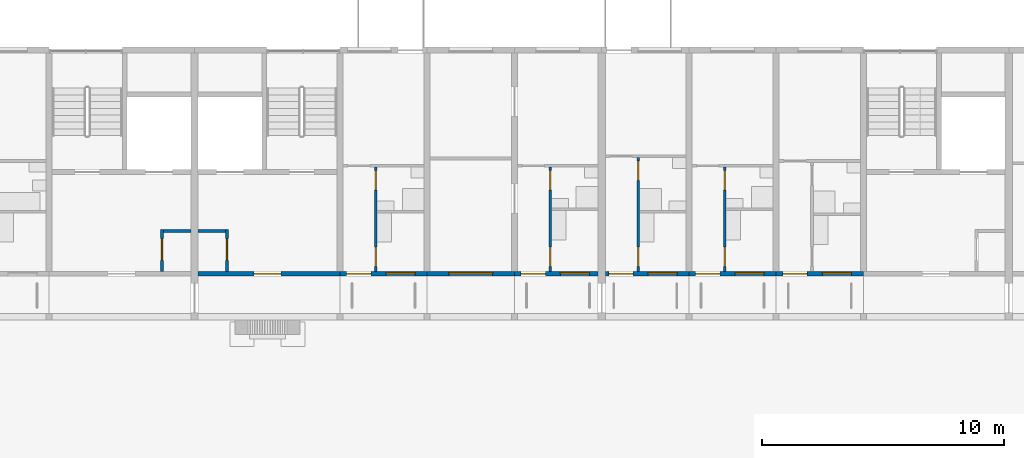
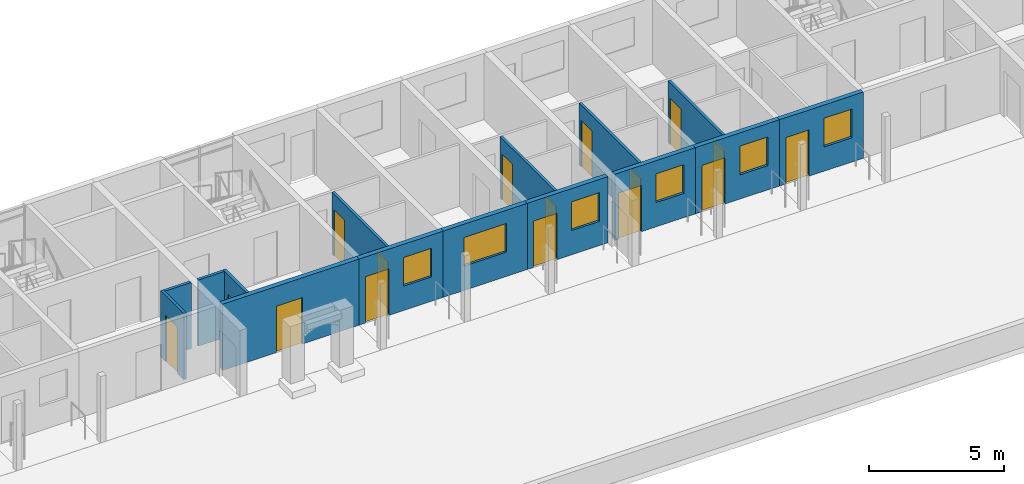
# One storey, part 58 of 115: 16 doors, 15 walls, 6 windows, 22 openings.
"""IFC4 building model written with IfcOpenShell, lengths in metres."""

from ifc_helpers import new_model, si_unit, direction, frame, frame_2d, origin, place, context, subcontext, project, spatial, rectangle, extrude, material, layer, layer_set, type_object, element, fill, save


model = new_model("IFC4")

# Units and contexts
model_context = context("Model", 3, precision=1e-05, world=origin(), true_north=direction((0.0, 1.0)))
body_context = subcontext(model_context, "Body", "Model", "MODEL_VIEW")
ifc_project = project(units=[si_unit("LENGTHUNIT", "METRE"), si_unit("AREAUNIT", "SQUARE_METRE"), si_unit("VOLUMEUNIT", "CUBIC_METRE"), si_unit("PLANEANGLEUNIT", "RADIAN"), si_unit("MASSUNIT", "GRAM", prefix="KILO")], contexts=[model_context])

# Site, building, storey
site_placement = place(None, origin())
site = spatial("IfcSite", under=ifc_project, at=site_placement, CompositionType="ELEMENT")
building_placement = place(site_placement, origin())
building = spatial("IfcBuilding", under=site, at=building_placement, Name="Ridgestep Commons", CompositionType="ELEMENT")
storey_placement = place(building_placement, frame((0.0, 0.0, 6.0)))
storey = spatial("IfcBuildingStorey", under=building, at=storey_placement, Name="L02", CompositionType="ELEMENT", Elevation=6.0)

# Wall, opening, door
ifc_material_1 = material(Name="Concrete C30/37", Category="concrete")
ifc_layer_1 = layer(ifc_material_1, 0.199951171875)
ifc_layer_set_1 = layer_set([ifc_layer_1], Name="Core south wall 200")
wall_type_1 = type_object("IfcWallType", Name="Core south wall 200", PredefinedType="SHEAR", material=ifc_layer_set_1)
wall_1_placement = place(storey_placement, frame((163.75, 13.64990234375, 0.0), z_axis=(0.0, 0.0, 1.0), x_axis=(1.0, 0.0, 0.0)))
wall_1 = element("IfcWall", 1, at=wall_1_placement, inside=storey, type_object=wall_type_1, Name="Core south wall D2C L02", PredefinedType="SHEAR", context=body_context, shape_type="SweptSolid", body=[
    extrude(rectangle(XDim=5.85009765625, YDim=0.199951171875, at=frame_2d((2.925048828125, 0.0))), origin(), (0.0, 0.0, 1.0), 3.0),
])
opening_1_placement = place(wall_1_placement, frame((2.3125, 0.0, 0.0)))
opening_1 = element("IfcOpeningElement", 2, at=opening_1_placement, cuts=wall_1, Name="Opening D2C/02/1", PredefinedType="OPENING", context=body_context, shape_type="SweptSolid", body=[
    extrude(rectangle(XDim=1.10009765625, YDim=2.10009765625, at=frame_2d((0.550048828125, 1.050048828125))), frame((0.0, 0.10986328125, 0.0), z_axis=(0.0, -1.0, 0.0), x_axis=(1.0, 0.0, 0.0)), (0.0, 0.0, 1.0), 0.219970703125),
])
ifc_material_2 = material(Name="Steel fire door", Category="steel")
door_type_1 = type_object("IfcDoorType", Name="Lobby door 1100 x 2100 FD60", OperationType="NOTDEFINED", PredefinedType="DOOR", material=ifc_material_2)
door_1_placement = place(opening_1_placement, origin())
door_1 = element("IfcDoor", 3, at=door_1_placement, inside=storey, type_object=door_type_1, Name="Lobby door D2C/02/1", OperationType="SINGLE_SWING_LEFT", OverallHeight=2.10009765625, OverallWidth=1.10009765625, PredefinedType="DOOR", context=body_context, shape_type="SweptSolid", body=[
    extrude(rectangle(XDim=1.10009765625, YDim=2.10009765625, at=frame_2d((0.550048828125, 1.050048828125))), frame((0.0, 0.02490234375, 0.0), z_axis=(0.0, -1.0, 0.0), x_axis=(1.0, 0.0, 0.0)), (0.0, 0.0, 1.0), 0.050048828125),
])
fill(opening_1, door_1)

ifc_material_3 = material(Name="Concrete C30/37", Category="concrete")
ifc_layer_2 = layer(ifc_material_3, 0.1201171875)
ifc_layer_set_2 = layer_set([ifc_layer_2], Name="Core wall 120")
wall_type_2 = type_object("IfcWallType", Name="Core wall 120", PredefinedType="SHEAR", material=ifc_layer_set_2)
wall_2_placement = place(storey_placement, frame((162.260009765625, 13.75, 0.0), z_axis=(0.0, 0.0, 1.0), x_axis=(0.0, 1.0, 0.0)))
wall_2 = element("IfcWall", 4, at=wall_2_placement, inside=storey, type_object=wall_type_2, Name="Core riser w wall D1C L02", PredefinedType="SHEAR", context=body_context, shape_type="SweptSolid", body=[
    extrude(rectangle(XDim=1.719970703125, YDim=0.1201171875, at=frame_2d((0.85986328125, 0.0))), origin(), (0.0, 0.0, 1.0), 3.0),
])
opening_2_placement = place(wall_2_placement, frame((0.449951171875, 0.0, 0.0)))
opening_2 = element("IfcOpeningElement", 5, at=opening_2_placement, cuts=wall_2, Name="Opening D1C/02/4", PredefinedType="OPENING", context=body_context, shape_type="SweptSolid", body=[
    extrude(rectangle(XDim=0.89990234375, YDim=2.10009765625, at=frame_2d((0.449951171875, 1.050048828125))), frame((0.0, 0.070068359375, 0.0), z_axis=(0.0, -1.0, 0.0), x_axis=(1.0, 0.0, 0.0)), (0.0, 0.0, 1.0), 0.14013671875),
])
ifc_material_4 = material(Name="Steel fire door", Category="steel")
door_type_2 = type_object("IfcDoorType", Name="Riser door 900 x 2100 FD60", OperationType="NOTDEFINED", PredefinedType="DOOR", material=ifc_material_4)
door_2_placement = place(opening_2_placement, origin())
door_2 = element("IfcDoor", 6, at=door_2_placement, inside=storey, type_object=door_type_2, Name="Riser door D1C/02/4", OperationType="SINGLE_SWING_LEFT", OverallHeight=2.10009765625, OverallWidth=0.89990234375, PredefinedType="DOOR", context=body_context, shape_type="SweptSolid", body=[
    extrude(rectangle(XDim=0.89990234375, YDim=2.10009765625, at=frame_2d((0.449951171875, 1.050048828125))), frame((0.0, 0.02490234375, 0.0), z_axis=(0.0, -1.0, 0.0), x_axis=(1.0, 0.0, 0.0)), (0.0, 0.0, 1.0), 0.050048828125),
])
fill(opening_2, door_2)

# Wall
wall_3_placement = place(storey_placement, frame((162.320068359375, 15.409912109375, 0.0), z_axis=(0.0, 0.0, 1.0), x_axis=(1.0, 0.0, 0.0)))
element("IfcWall", 7, at=wall_3_placement, inside=storey, type_object=wall_type_2, Name="Core riser n wall D1C L02", PredefinedType="SHEAR", context=body_context, shape_type="SweptSolid", body=[
    extrude(rectangle(XDim=1.1298828125, YDim=0.1201171875, at=frame_2d((0.56494140625, 0.0))), origin(), (0.0, 0.0, 1.0), 3.0),
])

# Wall, opening, door
wall_4_placement = place(storey_placement, frame((164.93994140625, 13.75, 0.0), z_axis=(0.0, 0.0, 1.0), x_axis=(0.0, 1.0, 0.0)))
wall_4 = element("IfcWall", 8, at=wall_4_placement, inside=storey, type_object=wall_type_2, Name="Core riser w wall D2C L02", PredefinedType="SHEAR", context=body_context, shape_type="SweptSolid", body=[
    extrude(rectangle(XDim=1.719970703125, YDim=0.1201171875, at=frame_2d((0.85986328125, 0.0))), origin(), (0.0, 0.0, 1.0), 3.0),
])
opening_3_placement = place(wall_4_placement, frame((0.449951171875, 0.0, 0.0)))
opening_3 = element("IfcOpeningElement", 9, at=opening_3_placement, cuts=wall_4, Name="Opening D2C/02/4", PredefinedType="OPENING", context=body_context, shape_type="SweptSolid", body=[
    extrude(rectangle(XDim=0.89990234375, YDim=2.10009765625, at=frame_2d((0.449951171875, 1.050048828125))), frame((0.0, 0.070068359375, 0.0), z_axis=(0.0, -1.0, 0.0), x_axis=(1.0, 0.0, 0.0)), (0.0, 0.0, 1.0), 0.14013671875),
])
door_3_placement = place(opening_3_placement, origin())
door_3 = element("IfcDoor", 10, at=door_3_placement, inside=storey, type_object=door_type_2, Name="Riser door D2C/02/4", OperationType="SINGLE_SWING_RIGHT", OverallHeight=2.10009765625, OverallWidth=0.89990234375, PredefinedType="DOOR", context=body_context, shape_type="SweptSolid", body=[
    extrude(rectangle(XDim=0.89990234375, YDim=2.10009765625, at=frame_2d((0.449951171875, 1.050048828125))), frame((0.0, 0.02490234375, 0.0), z_axis=(0.0, -1.0, 0.0), x_axis=(1.0, 0.0, 0.0)), (0.0, 0.0, 1.0), 0.050048828125),
])
fill(opening_3, door_3)

# Wall
wall_5_placement = place(storey_placement, frame((163.75, 15.409912109375, 0.0), z_axis=(0.0, 0.0, 1.0), x_axis=(1.0, 0.0, 0.0)))
element("IfcWall", 11, at=wall_5_placement, inside=storey, type_object=wall_type_2, Name="Core riser n wall D2C L02", PredefinedType="SHEAR", context=body_context, shape_type="SweptSolid", body=[
    extrude(rectangle(XDim=1.1298828125, YDim=0.1201171875, at=frame_2d((0.56494140625, 0.0))), origin(), (0.0, 0.0, 1.0), 3.0),
])

# Wall, openings, doors
ifc_material_5 = material(Name="Common brick 110 mm", Category="masonry")
ifc_layer_3 = layer(ifc_material_5, 0.110107421875)
ifc_layer_set_3 = layer_set([ifc_layer_3], Name="Partition 110")
wall_type_3 = type_object("IfcWallType", Name="Partition 110", PredefinedType="PARTITIONING", material=ifc_layer_set_3)
wall_6_placement = place(storey_placement, frame((178.280029296875, 13.75, 0.0), z_axis=(0.0, 0.0, 1.0), x_axis=(0.0, 1.0, 0.0)))
wall_6 = element("IfcWall", 12, at=wall_6_placement, inside=storey, type_object=wall_type_3, Name="Partition D2-02a", PredefinedType="PARTITIONING", context=body_context, shape_type="SweptSolid", body=[
    extrude(rectangle(XDim=4.300048828125, YDim=0.110107421875, at=frame_2d((2.14990234375, 0.0))), origin(), (0.0, 0.0, 1.0), 2.800048828125),
])
opening_4_placement = place(wall_6_placement, frame((0.199951171875, 0.0, 0.0)))
opening_4 = element("IfcOpeningElement", 13, at=opening_4_placement, cuts=wall_6, Name="Opening D2-02a/2", PredefinedType="OPENING", context=body_context, shape_type="SweptSolid", body=[
    extrude(rectangle(XDim=0.800048828125, YDim=2.10009765625, at=frame_2d((0.39990234375, 1.050048828125))), frame((0.0, 0.06494140625, 0.0), z_axis=(0.0, -1.0, 0.0), x_axis=(1.0, 0.0, 0.0)), (0.0, 0.0, 1.0), 0.130126953125),
])
opening_5_placement = place(wall_6_placement, frame((3.35009765625, 0.0, 0.0)))
opening_5 = element("IfcOpeningElement", 14, at=opening_5_placement, cuts=wall_6, Name="Opening D2-02a/3", PredefinedType="OPENING", context=body_context, shape_type="SweptSolid", body=[
    extrude(rectangle(XDim=0.800048828125, YDim=2.10009765625, at=frame_2d((0.39990234375, 1.050048828125))), frame((0.0, 0.06494140625, 0.0), z_axis=(0.0, -1.0, 0.0), x_axis=(1.0, 0.0, 0.0)), (0.0, 0.0, 1.0), 0.130126953125),
])
ifc_material_6 = material(Name="Timber door leaf", Category="wood")
door_type_3 = type_object("IfcDoorType", Name="Internal door 800 x 2100", OperationType="NOTDEFINED", PredefinedType="DOOR", material=ifc_material_6)
door_4_placement = place(opening_4_placement, origin())
door_4 = element("IfcDoor", 15, at=door_4_placement, inside=storey, type_object=door_type_3, Name="Internal door D2-02a/2", OperationType="SINGLE_SWING_RIGHT", OverallHeight=2.10009765625, OverallWidth=0.800048828125, PredefinedType="DOOR", context=body_context, shape_type="SweptSolid", body=[
    extrude(rectangle(XDim=0.800048828125, YDim=2.10009765625, at=frame_2d((0.39990234375, 1.050048828125))), frame((0.0, 0.02490234375, 0.0), z_axis=(0.0, -1.0, 0.0), x_axis=(1.0, 0.0, 0.0)), (0.0, 0.0, 1.0), 0.050048828125),
])
fill(opening_4, door_4)
door_5_placement = place(opening_5_placement, origin())
door_5 = element("IfcDoor", 16, at=door_5_placement, inside=storey, type_object=door_type_3, Name="Internal door D2-02a/3", OperationType="SINGLE_SWING_LEFT", OverallHeight=2.10009765625, OverallWidth=0.800048828125, PredefinedType="DOOR", context=body_context, shape_type="SweptSolid", body=[
    extrude(rectangle(XDim=0.800048828125, YDim=2.10009765625, at=frame_2d((0.39990234375, 1.050048828125))), frame((0.0, 0.02490234375, 0.0), z_axis=(0.0, -1.0, 0.0), x_axis=(1.0, 0.0, 0.0)), (0.0, 0.0, 1.0), 0.050048828125),
])
fill(opening_5, door_5)

wall_7_placement = place(storey_placement, frame((171.080078125, 13.75, 0.0), z_axis=(0.0, 0.0, 1.0), x_axis=(0.0, 1.0, 0.0)))
wall_7 = element("IfcWall", 17, at=wall_7_placement, inside=storey, type_object=wall_type_3, Name="Partition D2-02b", PredefinedType="PARTITIONING", context=body_context, shape_type="SweptSolid", body=[
    extrude(rectangle(XDim=4.300048828125, YDim=0.110107421875, at=frame_2d((2.14990234375, 0.0))), origin(), (0.0, 0.0, 1.0), 2.800048828125),
])
opening_6_placement = place(wall_7_placement, frame((0.199951171875, 0.0, 0.0)))
opening_6 = element("IfcOpeningElement", 18, at=opening_6_placement, cuts=wall_7, Name="Opening D2-02b/2", PredefinedType="OPENING", context=body_context, shape_type="SweptSolid", body=[
    extrude(rectangle(XDim=0.800048828125, YDim=2.10009765625, at=frame_2d((0.39990234375, 1.050048828125))), frame((0.0, 0.06494140625, 0.0), z_axis=(0.0, -1.0, 0.0), x_axis=(1.0, 0.0, 0.0)), (0.0, 0.0, 1.0), 0.130126953125),
])
opening_7_placement = place(wall_7_placement, frame((3.35009765625, 0.0, 0.0)))
opening_7 = element("IfcOpeningElement", 19, at=opening_7_placement, cuts=wall_7, Name="Opening D2-02b/3", PredefinedType="OPENING", context=body_context, shape_type="SweptSolid", body=[
    extrude(rectangle(XDim=0.800048828125, YDim=2.10009765625, at=frame_2d((0.39990234375, 1.050048828125))), frame((0.0, 0.06494140625, 0.0), z_axis=(0.0, -1.0, 0.0), x_axis=(1.0, 0.0, 0.0)), (0.0, 0.0, 1.0), 0.130126953125),
])
door_6_placement = place(opening_6_placement, origin())
door_6 = element("IfcDoor", 20, at=door_6_placement, inside=storey, type_object=door_type_3, Name="Internal door D2-02b/2", OperationType="SINGLE_SWING_RIGHT", OverallHeight=2.10009765625, OverallWidth=0.800048828125, PredefinedType="DOOR", context=body_context, shape_type="SweptSolid", body=[
    extrude(rectangle(XDim=0.800048828125, YDim=2.10009765625, at=frame_2d((0.39990234375, 1.050048828125))), frame((0.0, 0.02490234375, 0.0), z_axis=(0.0, -1.0, 0.0), x_axis=(1.0, 0.0, 0.0)), (0.0, 0.0, 1.0), 0.050048828125),
])
fill(opening_6, door_6)
door_7_placement = place(opening_7_placement, origin())
door_7 = element("IfcDoor", 21, at=door_7_placement, inside=storey, type_object=door_type_3, Name="Internal door D2-02b/3", OperationType="SINGLE_SWING_LEFT", OverallHeight=2.10009765625, OverallWidth=0.800048828125, PredefinedType="DOOR", context=body_context, shape_type="SweptSolid", body=[
    extrude(rectangle(XDim=0.800048828125, YDim=2.10009765625, at=frame_2d((0.39990234375, 1.050048828125))), frame((0.0, 0.02490234375, 0.0), z_axis=(0.0, -1.0, 0.0), x_axis=(1.0, 0.0, 0.0)), (0.0, 0.0, 1.0), 0.050048828125),
])
fill(opening_7, door_7)

wall_8_placement = place(storey_placement, frame((181.905029296875, 13.75, 0.0), z_axis=(0.0, 0.0, 1.0), x_axis=(0.0, 1.0, 0.0)))
wall_8 = element("IfcWall", 22, at=wall_8_placement, inside=storey, type_object=wall_type_3, Name="Partition D3-02a", PredefinedType="PARTITIONING", context=body_context, shape_type="SweptSolid", body=[
    extrude(rectangle(XDim=4.699951171875, YDim=0.110107421875, at=frame_2d((2.35009765625, 0.0))), origin(), (0.0, 0.0, 1.0), 2.800048828125),
])
opening_8_placement = place(wall_8_placement, frame((0.199951171875, 0.0, 0.0)))
opening_8 = element("IfcOpeningElement", 23, at=opening_8_placement, cuts=wall_8, Name="Opening D3-02a/2", PredefinedType="OPENING", context=body_context, shape_type="SweptSolid", body=[
    extrude(rectangle(XDim=0.800048828125, YDim=2.10009765625, at=frame_2d((0.39990234375, 1.050048828125))), frame((0.0, 0.06494140625, 0.0), z_axis=(0.0, -1.0, 0.0), x_axis=(1.0, 0.0, 0.0)), (0.0, 0.0, 1.0), 0.130126953125),
])
opening_9_placement = place(wall_8_placement, frame((3.75, 0.0, 0.0)))
opening_9 = element("IfcOpeningElement", 24, at=opening_9_placement, cuts=wall_8, Name="Opening D3-02a/3", PredefinedType="OPENING", context=body_context, shape_type="SweptSolid", body=[
    extrude(rectangle(XDim=0.800048828125, YDim=2.10009765625, at=frame_2d((0.39990234375, 1.050048828125))), frame((0.0, 0.06494140625, 0.0), z_axis=(0.0, -1.0, 0.0), x_axis=(1.0, 0.0, 0.0)), (0.0, 0.0, 1.0), 0.130126953125),
])
door_8_placement = place(opening_8_placement, origin())
door_8 = element("IfcDoor", 25, at=door_8_placement, inside=storey, type_object=door_type_3, Name="Internal door D3-02a/2", OperationType="SINGLE_SWING_RIGHT", OverallHeight=2.10009765625, OverallWidth=0.800048828125, PredefinedType="DOOR", context=body_context, shape_type="SweptSolid", body=[
    extrude(rectangle(XDim=0.800048828125, YDim=2.10009765625, at=frame_2d((0.39990234375, 1.050048828125))), frame((0.0, 0.02490234375, 0.0), z_axis=(0.0, -1.0, 0.0), x_axis=(1.0, 0.0, 0.0)), (0.0, 0.0, 1.0), 0.050048828125),
])
fill(opening_8, door_8)
door_9_placement = place(opening_9_placement, origin())
door_9 = element("IfcDoor", 26, at=door_9_placement, inside=storey, type_object=door_type_3, Name="Internal door D3-02a/3", OperationType="SINGLE_SWING_LEFT", OverallHeight=2.10009765625, OverallWidth=0.800048828125, PredefinedType="DOOR", context=body_context, shape_type="SweptSolid", body=[
    extrude(rectangle(XDim=0.800048828125, YDim=2.10009765625, at=frame_2d((0.39990234375, 1.050048828125))), frame((0.0, 0.02490234375, 0.0), z_axis=(0.0, -1.0, 0.0), x_axis=(1.0, 0.0, 0.0)), (0.0, 0.0, 1.0), 0.050048828125),
])
fill(opening_9, door_9)

wall_9_placement = place(storey_placement, frame((185.47998046875, 13.75, 0.0), z_axis=(0.0, 0.0, 1.0), x_axis=(0.0, 1.0, 0.0)))
wall_9 = element("IfcWall", 27, at=wall_9_placement, inside=storey, type_object=wall_type_3, Name="Partition D3-02b", PredefinedType="PARTITIONING", context=body_context, shape_type="SweptSolid", body=[
    extrude(rectangle(XDim=4.300048828125, YDim=0.110107421875, at=frame_2d((2.14990234375, 0.0))), origin(), (0.0, 0.0, 1.0), 2.800048828125),
])
opening_10_placement = place(wall_9_placement, frame((0.199951171875, 0.0, 0.0)))
opening_10 = element("IfcOpeningElement", 28, at=opening_10_placement, cuts=wall_9, Name="Opening D3-02b/2", PredefinedType="OPENING", context=body_context, shape_type="SweptSolid", body=[
    extrude(rectangle(XDim=0.800048828125, YDim=2.10009765625, at=frame_2d((0.39990234375, 1.050048828125))), frame((0.0, 0.06494140625, 0.0), z_axis=(0.0, -1.0, 0.0), x_axis=(1.0, 0.0, 0.0)), (0.0, 0.0, 1.0), 0.130126953125),
])
opening_11_placement = place(wall_9_placement, frame((3.35009765625, 0.0, 0.0)))
opening_11 = element("IfcOpeningElement", 29, at=opening_11_placement, cuts=wall_9, Name="Opening D3-02b/3", PredefinedType="OPENING", context=body_context, shape_type="SweptSolid", body=[
    extrude(rectangle(XDim=0.800048828125, YDim=2.10009765625, at=frame_2d((0.39990234375, 1.050048828125))), frame((0.0, 0.06494140625, 0.0), z_axis=(0.0, -1.0, 0.0), x_axis=(1.0, 0.0, 0.0)), (0.0, 0.0, 1.0), 0.130126953125),
])
door_10_placement = place(opening_10_placement, origin())
door_10 = element("IfcDoor", 30, at=door_10_placement, inside=storey, type_object=door_type_3, Name="Internal door D3-02b/2", OperationType="SINGLE_SWING_RIGHT", OverallHeight=2.10009765625, OverallWidth=0.800048828125, PredefinedType="DOOR", context=body_context, shape_type="SweptSolid", body=[
    extrude(rectangle(XDim=0.800048828125, YDim=2.10009765625, at=frame_2d((0.39990234375, 1.050048828125))), frame((0.0, 0.02490234375, 0.0), z_axis=(0.0, -1.0, 0.0), x_axis=(1.0, 0.0, 0.0)), (0.0, 0.0, 1.0), 0.050048828125),
])
fill(opening_10, door_10)
door_11_placement = place(opening_11_placement, origin())
door_11 = element("IfcDoor", 31, at=door_11_placement, inside=storey, type_object=door_type_3, Name="Internal door D3-02b/3", OperationType="SINGLE_SWING_LEFT", OverallHeight=2.10009765625, OverallWidth=0.800048828125, PredefinedType="DOOR", context=body_context, shape_type="SweptSolid", body=[
    extrude(rectangle(XDim=0.800048828125, YDim=2.10009765625, at=frame_2d((0.39990234375, 1.050048828125))), frame((0.0, 0.02490234375, 0.0), z_axis=(0.0, -1.0, 0.0), x_axis=(1.0, 0.0, 0.0)), (0.0, 0.0, 1.0), 0.050048828125),
])
fill(opening_11, door_11)

# Wall, openings, door, window
ifc_material_7 = material(Name="Precast concrete C40/50", Category="concrete")
ifc_layer_4 = layer(ifc_material_7, 0.199951171875)
ifc_layer_set_4 = layer_set([ifc_layer_4], Name="South facade panel 200")
wall_type_4 = type_object("IfcWallType", Name="South facade panel 200", PredefinedType="SOLIDWALL", material=ifc_layer_set_4)
wall_10_placement = place(storey_placement, frame((169.60009765625, 13.64990234375, 0.0), z_axis=(0.0, 0.0, 1.0), x_axis=(1.0, 0.0, 0.0)))
wall_10 = element("IfcWall", 32, at=wall_10_placement, inside=storey, type_object=wall_type_4, Name="South panel D2T3 L02", PredefinedType="SOLIDWALL", context=body_context, shape_type="SweptSolid", body=[
    extrude(rectangle(XDim=3.599853515625, YDim=0.199951171875, at=frame_2d((1.7998046875, 0.0))), origin(), (0.0, 0.0, 1.0), 3.0),
])
opening_12_placement = place(wall_10_placement, frame((1.905029296875, 0.0, 1.10009765625)))
opening_12 = element("IfcOpeningElement", 33, at=opening_12_placement, cuts=wall_10, Name="Opening W08", PredefinedType="OPENING", context=body_context, shape_type="SweptSolid", body=[
    extrude(rectangle(XDim=1.199951171875, YDim=1.300048828125, at=frame_2d((0.60009765625, 0.64990234375))), frame((0.0, 0.10986328125, 0.0), z_axis=(0.0, -1.0, 0.0), x_axis=(1.0, 0.0, 0.0)), (0.0, 0.0, 1.0), 0.219970703125),
])
opening_13_placement = place(wall_10_placement, frame((0.27490234375, 0.0, 0.0)))
opening_13 = element("IfcOpeningElement", 34, at=opening_13_placement, cuts=wall_10, Name="Opening D2-02b/1", PredefinedType="OPENING", context=body_context, shape_type="SweptSolid", body=[
    extrude(rectangle(XDim=1.0, YDim=2.10009765625, at=frame_2d((0.5, 1.050048828125))), frame((0.0, 0.10986328125, 0.0), z_axis=(0.0, -1.0, 0.0), x_axis=(1.0, 0.0, 0.0)), (0.0, 0.0, 1.0), 0.219970703125),
])
ifc_material_8 = material(Name="Timber door leaf", Category="wood")
door_type_4 = type_object("IfcDoorType", Name="Flat entrance door 1000 x 2100 FD30S", OperationType="NOTDEFINED", PredefinedType="DOOR", material=ifc_material_8)
door_12_placement = place(opening_13_placement, origin())
door_12 = element("IfcDoor", 35, at=door_12_placement, inside=storey, type_object=door_type_4, Name="Flat entrance door D2-02b/1", OperationType="SINGLE_SWING_LEFT", OverallHeight=2.10009765625, OverallWidth=1.0, PredefinedType="DOOR", context=body_context, shape_type="SweptSolid", body=[
    extrude(rectangle(XDim=1.0, YDim=2.10009765625, at=frame_2d((0.5, 1.050048828125))), frame((0.0, 0.02490234375, 0.0), z_axis=(0.0, -1.0, 0.0), x_axis=(1.0, 0.0, 0.0)), (0.0, 0.0, 1.0), 0.050048828125),
])
fill(opening_13, door_12)
ifc_material_9 = material(Name="Aluminium 6063-T6 and glass", Category="aluminium")
window_type_1 = type_object("IfcWindowType", Name="Flat window 1200 x 1300", PartitioningType="SINGLE_PANEL", PredefinedType="WINDOW", material=ifc_material_9)
window_1_placement = place(opening_12_placement, origin())
window_1 = element("IfcWindow", 36, at=window_1_placement, inside=storey, type_object=window_type_1, Name="Window D2-02b 1", OverallHeight=1.300048828125, OverallWidth=1.199951171875, PartitioningType="SINGLE_PANEL", PredefinedType="WINDOW", context=body_context, shape_type="SweptSolid", body=[
    extrude(rectangle(XDim=1.199951171875, YDim=1.300048828125, at=frame_2d((0.60009765625, 0.64990234375))), frame((0.0, 0.06005859375, 0.0), z_axis=(0.0, -1.0, 0.0), x_axis=(1.0, 0.0, 0.0)), (0.0, 0.0, 1.0), 0.06005859375),
])
fill(opening_12, window_1)

# Wall, opening, window
wall_11_placement = place(storey_placement, frame((173.199951171875, 13.64990234375, 0.0), z_axis=(0.0, 0.0, 1.0), x_axis=(1.0, 0.0, 0.0)))
wall_11 = element("IfcWall", 37, at=wall_11_placement, inside=storey, type_object=wall_type_4, Name="South panel D2T2 L02", PredefinedType="SOLIDWALL", context=body_context, shape_type="SweptSolid", body=[
    extrude(rectangle(XDim=3.60009765625, YDim=0.199951171875, at=frame_2d((1.800048828125, 0.0))), origin(), (0.0, 0.0, 1.0), 3.0),
])
opening_14_placement = place(wall_11_placement, frame((0.89990234375, 0.0, 1.10009765625)))
opening_14 = element("IfcOpeningElement", 38, at=opening_14_placement, cuts=wall_11, Name="Opening W18", PredefinedType="OPENING", context=body_context, shape_type="SweptSolid", body=[
    extrude(rectangle(XDim=1.800048828125, YDim=1.300048828125, at=frame_2d((0.89990234375, 0.64990234375))), frame((0.0, 0.10986328125, 0.0), z_axis=(0.0, -1.0, 0.0), x_axis=(1.0, 0.0, 0.0)), (0.0, 0.0, 1.0), 0.219970703125),
])
ifc_material_10 = material(Name="Aluminium 6063-T6 and glass", Category="aluminium")
window_type_2 = type_object("IfcWindowType", Name="Flat window 1800 x 1300", PartitioningType="DOUBLE_PANEL_VERTICAL", PredefinedType="WINDOW", material=ifc_material_10)
window_2_placement = place(opening_14_placement, origin())
window_2 = element("IfcWindow", 39, at=window_2_placement, inside=storey, type_object=window_type_2, Name="Window D2-02a 1", OverallHeight=1.300048828125, OverallWidth=1.800048828125, PartitioningType="SINGLE_PANEL", PredefinedType="WINDOW", context=body_context, shape_type="SweptSolid", body=[
    extrude(rectangle(XDim=1.800048828125, YDim=1.300048828125, at=frame_2d((0.89990234375, 0.64990234375))), frame((0.0, 0.06005859375, 0.0), z_axis=(0.0, -1.0, 0.0), x_axis=(1.0, 0.0, 0.0)), (0.0, 0.0, 1.0), 0.06005859375),
])
fill(opening_14, window_2)

# Wall, openings, door, window
wall_12_placement = place(storey_placement, frame((176.800048828125, 13.64990234375, 0.0), z_axis=(0.0, 0.0, 1.0), x_axis=(1.0, 0.0, 0.0)))
wall_12 = element("IfcWall", 40, at=wall_12_placement, inside=storey, type_object=wall_type_4, Name="South panel D2T1 L02", PredefinedType="SOLIDWALL", context=body_context, shape_type="SweptSolid", body=[
    extrude(rectangle(XDim=3.449951171875, YDim=0.199951171875, at=frame_2d((1.72509765625, 0.0))), origin(), (0.0, 0.0, 1.0), 3.0),
])
opening_15_placement = place(wall_12_placement, frame((1.892578125, 0.0, 1.10009765625)))
opening_15 = element("IfcOpeningElement", 41, at=opening_15_placement, cuts=wall_12, Name="Opening W08", PredefinedType="OPENING", context=body_context, shape_type="SweptSolid", body=[
    extrude(rectangle(XDim=1.199951171875, YDim=1.300048828125, at=frame_2d((0.60009765625, 0.64990234375))), frame((0.0, 0.10986328125, 0.0), z_axis=(0.0, -1.0, 0.0), x_axis=(1.0, 0.0, 0.0)), (0.0, 0.0, 1.0), 0.219970703125),
])
opening_16_placement = place(wall_12_placement, frame((0.27490234375, 0.0, 0.0)))
opening_16 = element("IfcOpeningElement", 42, at=opening_16_placement, cuts=wall_12, Name="Opening D2-02a/1", PredefinedType="OPENING", context=body_context, shape_type="SweptSolid", body=[
    extrude(rectangle(XDim=1.0, YDim=2.10009765625, at=frame_2d((0.5, 1.050048828125))), frame((0.0, 0.10986328125, 0.0), z_axis=(0.0, -1.0, 0.0), x_axis=(1.0, 0.0, 0.0)), (0.0, 0.0, 1.0), 0.219970703125),
])
door_13_placement = place(opening_16_placement, origin())
door_13 = element("IfcDoor", 43, at=door_13_placement, inside=storey, type_object=door_type_4, Name="Flat entrance door D2-02a/1", OperationType="SINGLE_SWING_LEFT", OverallHeight=2.10009765625, OverallWidth=1.0, PredefinedType="DOOR", context=body_context, shape_type="SweptSolid", body=[
    extrude(rectangle(XDim=1.0, YDim=2.10009765625, at=frame_2d((0.5, 1.050048828125))), frame((0.0, 0.02490234375, 0.0), z_axis=(0.0, -1.0, 0.0), x_axis=(1.0, 0.0, 0.0)), (0.0, 0.0, 1.0), 0.050048828125),
])
fill(opening_16, door_13)
window_3_placement = place(opening_15_placement, origin())
window_3 = element("IfcWindow", 44, at=window_3_placement, inside=storey, type_object=window_type_1, Name="Window D2-02a 3", OverallHeight=1.300048828125, OverallWidth=1.199951171875, PartitioningType="SINGLE_PANEL", PredefinedType="WINDOW", context=body_context, shape_type="SweptSolid", body=[
    extrude(rectangle(XDim=1.199951171875, YDim=1.300048828125, at=frame_2d((0.60009765625, 0.64990234375))), frame((0.0, 0.06005859375, 0.0), z_axis=(0.0, -1.0, 0.0), x_axis=(1.0, 0.0, 0.0)), (0.0, 0.0, 1.0), 0.06005859375),
])
fill(opening_15, window_3)

wall_13_placement = place(storey_placement, frame((180.550048828125, 13.64990234375, 0.0), z_axis=(0.0, 0.0, 1.0), x_axis=(1.0, 0.0, 0.0)))
wall_13 = element("IfcWall", 45, at=wall_13_placement, inside=storey, type_object=wall_type_4, Name="South panel D3T1 L02", PredefinedType="SOLIDWALL", context=body_context, shape_type="SweptSolid", body=[
    extrude(rectangle(XDim=3.449951171875, YDim=0.199951171875, at=frame_2d((1.72509765625, 0.0))), origin(), (0.0, 0.0, 1.0), 3.0),
])
opening_17_placement = place(wall_13_placement, frame((1.767578125, 0.0, 1.10009765625)))
opening_17 = element("IfcOpeningElement", 46, at=opening_17_placement, cuts=wall_13, Name="Opening W08", PredefinedType="OPENING", context=body_context, shape_type="SweptSolid", body=[
    extrude(rectangle(XDim=1.199951171875, YDim=1.300048828125, at=frame_2d((0.60009765625, 0.64990234375))), frame((0.0, 0.10986328125, 0.0), z_axis=(0.0, -1.0, 0.0), x_axis=(1.0, 0.0, 0.0)), (0.0, 0.0, 1.0), 0.219970703125),
])
opening_18_placement = place(wall_13_placement, frame((0.14990234375, 0.0, 0.0)))
opening_18 = element("IfcOpeningElement", 47, at=opening_18_placement, cuts=wall_13, Name="Opening D3-02a/1", PredefinedType="OPENING", context=body_context, shape_type="SweptSolid", body=[
    extrude(rectangle(XDim=1.0, YDim=2.10009765625, at=frame_2d((0.5, 1.050048828125))), frame((0.0, 0.10986328125, 0.0), z_axis=(0.0, -1.0, 0.0), x_axis=(1.0, 0.0, 0.0)), (0.0, 0.0, 1.0), 0.219970703125),
])
door_14_placement = place(opening_18_placement, origin())
door_14 = element("IfcDoor", 48, at=door_14_placement, inside=storey, type_object=door_type_4, Name="Flat entrance door D3-02a/1", OperationType="SINGLE_SWING_LEFT", OverallHeight=2.10009765625, OverallWidth=1.0, PredefinedType="DOOR", context=body_context, shape_type="SweptSolid", body=[
    extrude(rectangle(XDim=1.0, YDim=2.10009765625, at=frame_2d((0.5, 1.050048828125))), frame((0.0, 0.02490234375, 0.0), z_axis=(0.0, -1.0, 0.0), x_axis=(1.0, 0.0, 0.0)), (0.0, 0.0, 1.0), 0.050048828125),
])
fill(opening_18, door_14)
window_4_placement = place(opening_17_placement, origin())
window_4 = element("IfcWindow", 49, at=window_4_placement, inside=storey, type_object=window_type_1, Name="Window D3-02a 1", OverallHeight=1.300048828125, OverallWidth=1.199951171875, PartitioningType="SINGLE_PANEL", PredefinedType="WINDOW", context=body_context, shape_type="SweptSolid", body=[
    extrude(rectangle(XDim=1.199951171875, YDim=1.300048828125, at=frame_2d((0.60009765625, 0.64990234375))), frame((0.0, 0.06005859375, 0.0), z_axis=(0.0, -1.0, 0.0), x_axis=(1.0, 0.0, 0.0)), (0.0, 0.0, 1.0), 0.06005859375),
])
fill(opening_17, window_4)

wall_14_placement = place(storey_placement, frame((184.0, 13.64990234375, 0.0), z_axis=(0.0, 0.0, 1.0), x_axis=(1.0, 0.0, 0.0)))
wall_14 = element("IfcWall", 50, at=wall_14_placement, inside=storey, type_object=wall_type_4, Name="South panel D3T2 L02", PredefinedType="SOLIDWALL", context=body_context, shape_type="SweptSolid", body=[
    extrude(rectangle(XDim=3.60009765625, YDim=0.199951171875, at=frame_2d((1.800048828125, 0.0))), origin(), (0.0, 0.0, 1.0), 3.0),
])
opening_19_placement = place(wall_14_placement, frame((1.905029296875, 0.0, 1.10009765625)))
opening_19 = element("IfcOpeningElement", 51, at=opening_19_placement, cuts=wall_14, Name="Opening W08", PredefinedType="OPENING", context=body_context, shape_type="SweptSolid", body=[
    extrude(rectangle(XDim=1.199951171875, YDim=1.300048828125, at=frame_2d((0.60009765625, 0.64990234375))), frame((0.0, 0.10986328125, 0.0), z_axis=(0.0, -1.0, 0.0), x_axis=(1.0, 0.0, 0.0)), (0.0, 0.0, 1.0), 0.219970703125),
])
opening_20_placement = place(wall_14_placement, frame((0.27490234375, 0.0, 0.0)))
opening_20 = element("IfcOpeningElement", 52, at=opening_20_placement, cuts=wall_14, Name="Opening D3-02b/1", PredefinedType="OPENING", context=body_context, shape_type="SweptSolid", body=[
    extrude(rectangle(XDim=1.0, YDim=2.10009765625, at=frame_2d((0.5, 1.050048828125))), frame((0.0, 0.10986328125, 0.0), z_axis=(0.0, -1.0, 0.0), x_axis=(1.0, 0.0, 0.0)), (0.0, 0.0, 1.0), 0.219970703125),
])
door_15_placement = place(opening_20_placement, origin())
door_15 = element("IfcDoor", 53, at=door_15_placement, inside=storey, type_object=door_type_4, Name="Flat entrance door D3-02b/1", OperationType="SINGLE_SWING_LEFT", OverallHeight=2.10009765625, OverallWidth=1.0, PredefinedType="DOOR", context=body_context, shape_type="SweptSolid", body=[
    extrude(rectangle(XDim=1.0, YDim=2.10009765625, at=frame_2d((0.5, 1.050048828125))), frame((0.0, 0.02490234375, 0.0), z_axis=(0.0, -1.0, 0.0), x_axis=(1.0, 0.0, 0.0)), (0.0, 0.0, 1.0), 0.050048828125),
])
fill(opening_20, door_15)
window_5_placement = place(opening_19_placement, origin())
window_5 = element("IfcWindow", 54, at=window_5_placement, inside=storey, type_object=window_type_1, Name="Window D3-02b 1", OverallHeight=1.300048828125, OverallWidth=1.199951171875, PartitioningType="SINGLE_PANEL", PredefinedType="WINDOW", context=body_context, shape_type="SweptSolid", body=[
    extrude(rectangle(XDim=1.199951171875, YDim=1.300048828125, at=frame_2d((0.60009765625, 0.64990234375))), frame((0.0, 0.06005859375, 0.0), z_axis=(0.0, -1.0, 0.0), x_axis=(1.0, 0.0, 0.0)), (0.0, 0.0, 1.0), 0.06005859375),
])
fill(opening_19, window_5)

wall_15_placement = place(storey_placement, frame((187.60009765625, 13.64990234375, 0.0), z_axis=(0.0, 0.0, 1.0), x_axis=(1.0, 0.0, 0.0)))
wall_15 = element("IfcWall", 55, at=wall_15_placement, inside=storey, type_object=wall_type_4, Name="South panel D3T3 L02", PredefinedType="SOLIDWALL", context=body_context, shape_type="SweptSolid", body=[
    extrude(rectangle(XDim=3.599853515625, YDim=0.199951171875, at=frame_2d((1.7998046875, 0.0))), origin(), (0.0, 0.0, 1.0), 3.0),
])
opening_21_placement = place(wall_15_placement, frame((1.905029296875, 0.0, 1.10009765625)))
opening_21 = element("IfcOpeningElement", 56, at=opening_21_placement, cuts=wall_15, Name="Opening W08", PredefinedType="OPENING", context=body_context, shape_type="SweptSolid", body=[
    extrude(rectangle(XDim=1.199951171875, YDim=1.300048828125, at=frame_2d((0.60009765625, 0.64990234375))), frame((0.0, 0.10986328125, 0.0), z_axis=(0.0, -1.0, 0.0), x_axis=(1.0, 0.0, 0.0)), (0.0, 0.0, 1.0), 0.219970703125),
])
opening_22_placement = place(wall_15_placement, frame((0.27490234375, 0.0, 0.0)))
opening_22 = element("IfcOpeningElement", 57, at=opening_22_placement, cuts=wall_15, Name="Opening D3-02c/1", PredefinedType="OPENING", context=body_context, shape_type="SweptSolid", body=[
    extrude(rectangle(XDim=1.0, YDim=2.10009765625, at=frame_2d((0.5, 1.050048828125))), frame((0.0, 0.10986328125, 0.0), z_axis=(0.0, -1.0, 0.0), x_axis=(1.0, 0.0, 0.0)), (0.0, 0.0, 1.0), 0.219970703125),
])
door_16_placement = place(opening_22_placement, origin())
door_16 = element("IfcDoor", 58, at=door_16_placement, inside=storey, type_object=door_type_4, Name="Flat entrance door D3-02c/1", OperationType="SINGLE_SWING_LEFT", OverallHeight=2.10009765625, OverallWidth=1.0, PredefinedType="DOOR", context=body_context, shape_type="SweptSolid", body=[
    extrude(rectangle(XDim=1.0, YDim=2.10009765625, at=frame_2d((0.5, 1.050048828125))), frame((0.0, 0.02490234375, 0.0), z_axis=(0.0, -1.0, 0.0), x_axis=(1.0, 0.0, 0.0)), (0.0, 0.0, 1.0), 0.050048828125),
])
fill(opening_22, door_16)
window_6_placement = place(opening_21_placement, origin())
window_6 = element("IfcWindow", 59, at=window_6_placement, inside=storey, type_object=window_type_1, Name="Window D3-02c 1", OverallHeight=1.300048828125, OverallWidth=1.199951171875, PartitioningType="SINGLE_PANEL", PredefinedType="WINDOW", context=body_context, shape_type="SweptSolid", body=[
    extrude(rectangle(XDim=1.199951171875, YDim=1.300048828125, at=frame_2d((0.60009765625, 0.64990234375))), frame((0.0, 0.06005859375, 0.0), z_axis=(0.0, -1.0, 0.0), x_axis=(1.0, 0.0, 0.0)), (0.0, 0.0, 1.0), 0.06005859375),
])
fill(opening_21, window_6)

save(model, "model.ifc")
